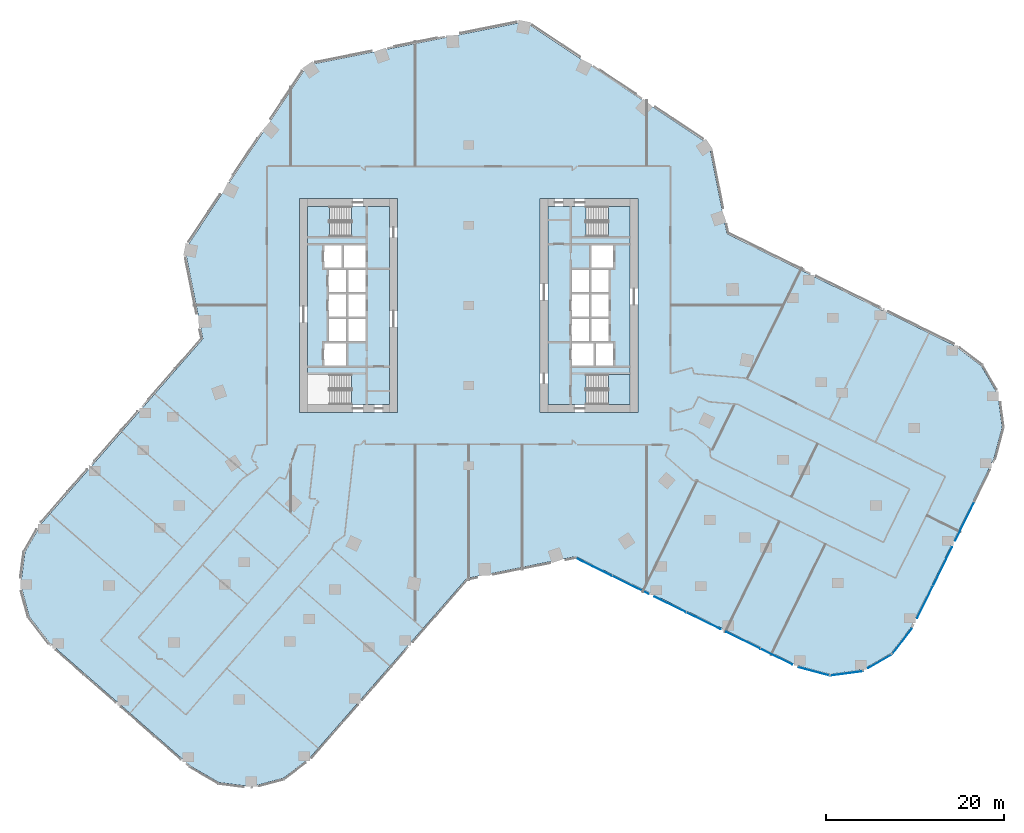
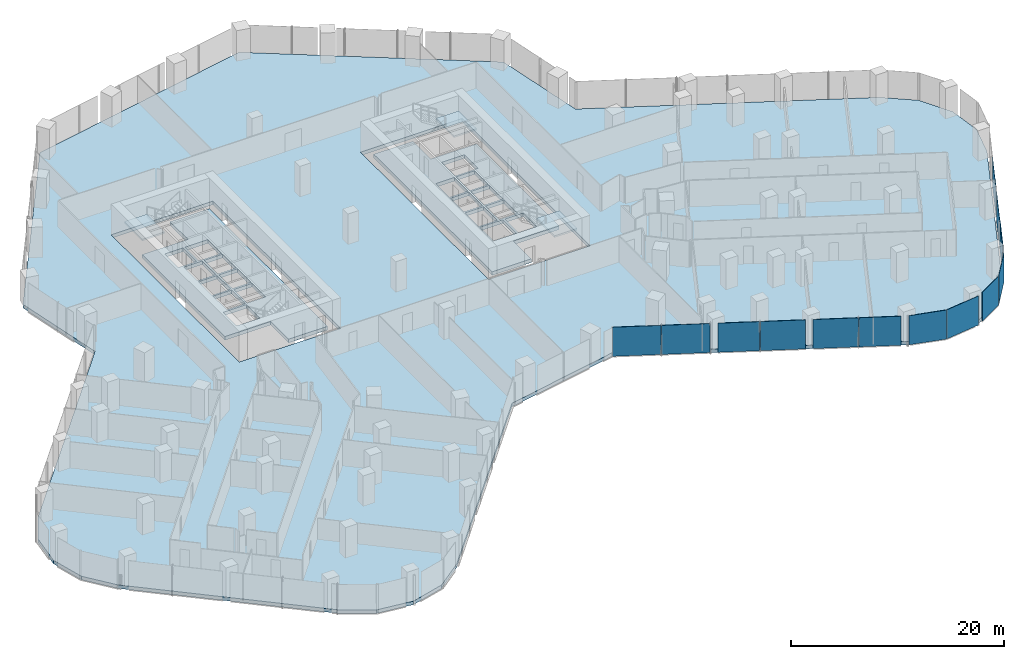
# One storey, part 21 of 38: 13 plates, 6 slabs, 9 elements without a shape of their own.
"""IFC4 building model written with IfcOpenShell, lengths in metres."""

from ifc_helpers import new_model, si_unit, direction, frame, origin, origin_2d, place, context, subcontext, project, spatial, polyline, rectangle, outline, extrude, material, layer, layer_set, type_object, element, aggregate, save


model = new_model("IFC4")

# Units and contexts
model_context = context("Model", 3, precision=1e-05, world=origin(), true_north=direction((0.0, 1.0)))
body_context = subcontext(model_context, "Body", "Model", "MODEL_VIEW")
ifc_project = project(units=[si_unit("LENGTHUNIT", "METRE"), si_unit("AREAUNIT", "SQUARE_METRE"), si_unit("VOLUMEUNIT", "CUBIC_METRE"), si_unit("PLANEANGLEUNIT", "RADIAN"), si_unit("MASSUNIT", "GRAM", prefix="KILO")], contexts=[model_context])

# Site, building, storey
site_placement = place(None, origin())
site = spatial("IfcSite", under=ifc_project, at=site_placement, CompositionType="ELEMENT")
building_placement = place(site_placement, origin())
building = spatial("IfcBuilding", under=site, at=building_placement, Name="Orlundy Tower", CompositionType="ELEMENT")
storey_placement = place(building_placement, frame((0.0, 0.0, 69.300048828125)))
storey = spatial("IfcBuildingStorey", under=building, at=storey_placement, Name="L16", CompositionType="ELEMENT", Elevation=69.300048828125)

# Curtain wall, plates
ifc_material_1 = material(Name="Aluminium bronze anodised", Category="aluminium")
curtain_wall_type = type_object("IfcCurtainWallType", Name="CW1 wall", PredefinedType="NOTDEFINED", material=ifc_material_1)
curtain_wall_1_placement = place(storey_placement, origin())
curtain_wall_1 = element("IfcCurtainWall", 1, at=curtain_wall_1_placement, inside=storey, type_object=curtain_wall_type, Name="CW1 run 00", PredefinedType="NOTDEFINED")
ifc_material_2 = material(Name="Tinted glass", Category="glass")
ifc_layer_1 = layer(ifc_material_2, 0.031982421875)
ifc_layer_set_1 = layer_set([ifc_layer_1], Name="CW1 glass panel 32")
plate_type = type_object("IfcPlateType", Name="CW1 glass panel 32", PredefinedType="CURTAIN_PANEL", material=ifc_layer_set_1)
plate_1_placement = place(storey_placement, frame((34.528076171875, -39.4306640625, -0.280029296875), z_axis=(0.0, 0.0, 1.0), x_axis=(-0.897522339484, 0.440968989984, 0.0)))
plate_1 = element("IfcPlate", 2, at=plate_1_placement, type_object=plate_type, Name="CW1 panel", PredefinedType="CURTAIN_PANEL", context=body_context, shape_type="SweptSolid", body=[
    extrude(rectangle(XDim=3.966552734375, YDim=0.031982421875, at=origin_2d()), origin(), (0.0, 0.0, 1.0), 3.330078125),
])
plate_2_placement = place(storey_placement, frame((30.803955078125, -37.60107421875, -0.280029296875), z_axis=(0.0, 0.0, 1.0), x_axis=(-0.897522339484, 0.440968989984, 0.0)))
plate_2 = element("IfcPlate", 3, at=plate_2_placement, type_object=plate_type, Name="CW1 panel", PredefinedType="CURTAIN_PANEL", context=body_context, shape_type="SweptSolid", body=[
    extrude(rectangle(XDim=4.23193359375, YDim=0.031982421875, at=origin_2d()), origin(), (0.0, 0.0, 1.0), 3.330078125),
])
plate_3_placement = place(storey_placement, frame((26.348388671875, -35.411865234375, -0.280029296875), z_axis=(0.0, 0.0, 1.0), x_axis=(-0.897522339484, 0.440968989984, 0.0)))
plate_3 = element("IfcPlate", 4, at=plate_3_placement, type_object=plate_type, Name="CW1 panel", PredefinedType="CURTAIN_PANEL", context=body_context, shape_type="SweptSolid", body=[
    extrude(rectangle(XDim=4.26220703125, YDim=0.031982421875, at=origin_2d()), origin(), (0.0, 0.0, 1.0), 3.330078125),
])
plate_4_placement = place(storey_placement, frame((22.623779296875, -33.58203125, -0.280029296875), z_axis=(0.0, 0.0, 1.0), x_axis=(-0.897522339484, 0.440968989984, 0.0)))
plate_4 = element("IfcPlate", 5, at=plate_4_placement, type_object=plate_type, Name="CW1 panel", PredefinedType="CURTAIN_PANEL", context=body_context, shape_type="SweptSolid", body=[
    extrude(rectangle(XDim=3.937255859375, YDim=0.031982421875, at=origin_2d()), origin(), (0.0, 0.0, 1.0), 3.330078125),
])
plate_5_placement = place(storey_placement, frame((18.168212890625, -31.392822265625, -0.280029296875), z_axis=(0.0, 0.0, 1.0), x_axis=(-0.897522339484, 0.440968989984, 0.0)))
plate_5 = element("IfcPlate", 6, at=plate_5_placement, type_object=plate_type, Name="CW1 panel", PredefinedType="CURTAIN_PANEL", context=body_context, shape_type="SweptSolid", body=[
    extrude(rectangle(XDim=4.556640625, YDim=0.031982421875, at=origin_2d()), origin(), (0.0, 0.0, 1.0), 3.330078125),
])
plate_6_placement = place(storey_placement, frame((14.03662109375, -29.363037109375, -0.280029296875), z_axis=(0.0, 0.0, 1.0), x_axis=(-0.897522339484, 0.440968989984, 0.0)))
plate_6 = element("IfcPlate", 7, at=plate_6_placement, type_object=plate_type, Name="CW1 panel", PredefinedType="CURTAIN_PANEL", context=body_context, shape_type="SweptSolid", body=[
    extrude(rectangle(XDim=4.550048828125, YDim=0.031982421875, at=origin_2d()), origin(), (0.0, 0.0, 1.0), 3.330078125),
])
aggregate(curtain_wall_1, [plate_1, plate_2, plate_3, plate_4, plate_5, plate_6])

curtain_wall_2_placement = place(storey_placement, origin())
curtain_wall_2 = element("IfcCurtainWall", 8, at=curtain_wall_2_placement, inside=storey, type_object=curtain_wall_type, Name="CW1 run 023", PredefinedType="NOTDEFINED")
plate_7_placement = place(storey_placement, frame((55.680908203125, -24.239990234375, -0.280029296875), z_axis=(0.0, 0.0, 1.0), x_axis=(-0.441012235503, -0.897501090883, 0.0)))
plate_7 = element("IfcPlate", 9, at=plate_7_placement, type_object=plate_type, Name="CW1 panel", PredefinedType="CURTAIN_PANEL", context=body_context, shape_type="SweptSolid", body=[
    extrude(rectangle(XDim=4.852294921875, YDim=0.031982421875, at=origin_2d()), origin(), (0.0, 0.0, 1.0), 3.330078125),
])
plate_8_placement = place(storey_placement, frame((53.193115234375, -29.302978515625, -0.280029296875), z_axis=(0.0, 0.0, 1.0), x_axis=(-0.441012235503, -0.897501090883, 0.0)))
plate_8 = element("IfcPlate", 10, at=plate_8_placement, type_object=plate_type, Name="CW1 panel", PredefinedType="CURTAIN_PANEL", context=body_context, shape_type="SweptSolid", body=[
    extrude(rectangle(XDim=4.764404296875, YDim=0.031982421875, at=origin_2d()), origin(), (0.0, 0.0, 1.0), 3.330078125),
])
plate_9_placement = place(storey_placement, frame((51.227294921875, -33.3037109375, -0.280029296875), z_axis=(0.0, 0.0, 1.0), x_axis=(-0.441012235503, -0.897501090883, 0.0)))
plate_9 = element("IfcPlate", 11, at=plate_9_placement, type_object=plate_type, Name="CW1 panel", PredefinedType="CURTAIN_PANEL", context=body_context, shape_type="SweptSolid", body=[
    extrude(rectangle(XDim=4.05078125, YDim=0.031982421875, at=origin_2d()), origin(), (0.0, 0.0, 1.0), 3.330078125),
])
aggregate(curtain_wall_2, [plate_7, plate_8, plate_9])

# Curtain wall, plate
curtain_wall_3_placement = place(storey_placement, origin())
curtain_wall_3 = element("IfcCurtainWall", 12, at=curtain_wall_3_placement, inside=storey, type_object=curtain_wall_type, Name="CW1 run 024", PredefinedType="NOTDEFINED")
plate_10_placement = place(storey_placement, frame((48.66064453125, -37.691162109375, -0.280029296875), z_axis=(0.0, 0.0, 1.0), x_axis=(-0.607570269729, -0.794265929863, 0.0)))
plate_10 = element("IfcPlate", 13, at=plate_10_placement, type_object=plate_type, Name="CW1 panel", PredefinedType="CURTAIN_PANEL", context=body_context, shape_type="SweptSolid", body=[
    extrude(rectangle(XDim=3.730224609375, YDim=0.031982421875, at=origin_2d()), origin(), (0.0, 0.0, 1.0), 3.330078125),
])
aggregate(curtain_wall_3, [plate_10])

curtain_wall_4_placement = place(storey_placement, origin())
curtain_wall_4 = element("IfcCurtainWall", 14, at=curtain_wall_4_placement, inside=storey, type_object=curtain_wall_type, Name="CW1 run 025", PredefinedType="NOTDEFINED")
plate_11_placement = place(storey_placement, frame((46.19677734375, -39.943603515625, -0.280029296875), z_axis=(0.0, 0.0, 1.0), x_axis=(-0.865272308879, -0.501302135928, 0.0)))
plate_11 = element("IfcPlate", 15, at=plate_11_placement, type_object=plate_type, Name="CW1 panel", PredefinedType="CURTAIN_PANEL", context=body_context, shape_type="SweptSolid", body=[
    extrude(rectangle(XDim=3.075927734375, YDim=0.031982421875, at=origin_2d()), origin(), (0.0, 0.0, 1.0), 3.330078125),
])
aggregate(curtain_wall_4, [plate_11])

curtain_wall_5_placement = place(storey_placement, origin())
curtain_wall_5 = element("IfcCurtainWall", 16, at=curtain_wall_5_placement, inside=storey, type_object=curtain_wall_type, Name="CW1 run 026", PredefinedType="NOTDEFINED")
plate_12_placement = place(storey_placement, frame((42.39404296875, -41.3125, -0.280029296875), z_axis=(0.0, 0.0, 1.0), x_axis=(-0.991227900682, -0.132163720098, 0.0)))
plate_12 = element("IfcPlate", 17, at=plate_12_placement, type_object=plate_type, Name="CW1 panel", PredefinedType="CURTAIN_PANEL", context=body_context, shape_type="SweptSolid", body=[
    extrude(rectangle(XDim=3.772705078125, YDim=0.031982421875, at=origin_2d()), origin(), (0.0, 0.0, 1.0), 3.330078125),
])
aggregate(curtain_wall_5, [plate_12])

curtain_wall_6_placement = place(storey_placement, origin())
curtain_wall_6 = element("IfcCurtainWall", 18, at=curtain_wall_6_placement, inside=storey, type_object=curtain_wall_type, Name="CW1 run 027", PredefinedType="NOTDEFINED")
plate_13_placement = place(storey_placement, frame((38.763916015625, -41.092529296875, -0.280029296875), z_axis=(0.0, 0.0, 1.0), x_axis=(-0.966230461093, 0.25767944438, 0.0)))
plate_13 = element("IfcPlate", 19, at=plate_13_placement, type_object=plate_type, Name="CW1 panel", PredefinedType="CURTAIN_PANEL", context=body_context, shape_type="SweptSolid", body=[
    extrude(rectangle(XDim=3.6435546875, YDim=0.031982421875, at=origin_2d()), origin(), (0.0, 0.0, 1.0), 3.330078125),
])
aggregate(curtain_wall_6, [plate_13])

# Slabs
ifc_material_3 = material(Name="Concrete C50/60", Category="concrete")
ifc_layer_2 = layer(ifc_material_3, 0.409912109375)
ifc_layer_set_2 = layer_set([ifc_layer_2], Name="Core Floor Slab 410")
slab_type_1 = type_object("IfcSlabType", Name="Core Floor Slab 410", PredefinedType="FLOOR", material=ifc_layer_set_2)
slab_1_placement = place(storey_placement, frame((0.0, 0.0, -0.41015625)))
element("IfcSlab", 20, at=slab_1_placement, inside=storey, type_object=slab_type_1, Name="Core floor W14", PredefinedType="FLOOR", context=body_context, shape_type="SweptSolid", body=[
    extrude(outline(polyline([(-13.14501953125, 7.75), (-13.14501953125, 11.10009765625), (-8.89990234375, 11.10009765625), (-8.89990234375, -11.10009765625), (-13.14501953125, -11.10009765625), (-13.14501953125, -7.75), (-18.10009765625, -7.75), (-18.10009765625, 7.75), (-13.14501953125, 7.75)]), holes=[polyline([(-16.239990234375, -6.77490234375), (-13.739990234375, -6.77490234375), (-13.739990234375, -4.22509765625), (-16.239990234375, -4.22509765625), (-16.239990234375, -6.77490234375)]), polyline([(-13.5400390625, -1.47509765625), (-13.5400390625, -4.02490234375), (-11.5400390625, -4.02490234375), (-11.5400390625, -1.47509765625), (-13.5400390625, -1.47509765625)]), polyline([(-13.739990234375, -1.47509765625), (-15.739990234375, -1.47509765625), (-15.739990234375, -4.02490234375), (-13.739990234375, -4.02490234375), (-13.739990234375, -1.47509765625)]), polyline([(-11.5400390625, -1.27490234375), (-11.5400390625, 1.27490234375), (-13.5400390625, 1.27490234375), (-13.5400390625, -1.27490234375), (-11.5400390625, -1.27490234375)]), polyline([(-15.739990234375, -1.27490234375), (-13.739990234375, -1.27490234375), (-13.739990234375, 1.27490234375), (-15.739990234375, 1.27490234375), (-15.739990234375, -1.27490234375)]), polyline([(-13.5400390625, 4.02490234375), (-13.5400390625, 1.47509765625), (-11.5400390625, 1.47509765625), (-11.5400390625, 4.02490234375), (-13.5400390625, 4.02490234375)]), polyline([(-13.739990234375, 4.02490234375), (-15.739990234375, 4.02490234375), (-15.739990234375, 1.47509765625), (-13.739990234375, 1.47509765625), (-13.739990234375, 4.02490234375)]), polyline([(-11.5400390625, 4.22509765625), (-11.5400390625, 6.77490234375), (-14.0400390625, 6.77490234375), (-14.0400390625, 4.22509765625), (-11.5400390625, 4.22509765625)]), polyline([(-16.239990234375, 4.22509765625), (-14.239990234375, 4.22509765625), (-14.239990234375, 6.77490234375), (-16.239990234375, 6.77490234375), (-16.239990234375, 4.22509765625)])]), origin(), (0.0, 0.0, 1.0), 0.41015625),
])
slab_2_placement = place(storey_placement, frame((0.0, 0.0, -0.41015625)))
element("IfcSlab", 21, at=slab_2_placement, inside=storey, type_object=slab_type_1, Name="Core floor E14", PredefinedType="FLOOR", context=body_context, shape_type="SweptSolid", body=[
    extrude(outline(polyline([(13.14501953125, -7.75), (13.14501953125, -11.10009765625), (8.89990234375, -11.10009765625), (8.89990234375, 11.10009765625), (13.14501953125, 11.10009765625), (13.14501953125, 7.75), (18.10009765625, 7.75), (18.10009765625, -7.75), (13.14501953125, -7.75)]), holes=[polyline([(16.239990234375, 6.77490234375), (13.739990234375, 6.77490234375), (13.739990234375, 4.22509765625), (16.239990234375, 4.22509765625), (16.239990234375, 6.77490234375)]), polyline([(13.5400390625, 1.47509765625), (13.5400390625, 4.02490234375), (11.5400390625, 4.02490234375), (11.5400390625, 1.47509765625), (13.5400390625, 1.47509765625)]), polyline([(13.739990234375, 1.47509765625), (15.739990234375, 1.47509765625), (15.739990234375, 4.02490234375), (13.739990234375, 4.02490234375), (13.739990234375, 1.47509765625)]), polyline([(11.5400390625, 1.27490234375), (11.5400390625, -1.27490234375), (13.5400390625, -1.27490234375), (13.5400390625, 1.27490234375), (11.5400390625, 1.27490234375)]), polyline([(15.739990234375, 1.27490234375), (13.739990234375, 1.27490234375), (13.739990234375, -1.27490234375), (15.739990234375, -1.27490234375), (15.739990234375, 1.27490234375)]), polyline([(13.5400390625, -4.02490234375), (13.5400390625, -1.47509765625), (11.5400390625, -1.47509765625), (11.5400390625, -4.02490234375), (13.5400390625, -4.02490234375)]), polyline([(13.739990234375, -4.02490234375), (15.739990234375, -4.02490234375), (15.739990234375, -1.47509765625), (13.739990234375, -1.47509765625), (13.739990234375, -4.02490234375)]), polyline([(11.5400390625, -4.22509765625), (11.5400390625, -6.77490234375), (14.0400390625, -6.77490234375), (14.0400390625, -4.22509765625), (11.5400390625, -4.22509765625)]), polyline([(16.239990234375, -4.22509765625), (14.239990234375, -4.22509765625), (14.239990234375, -6.77490234375), (16.239990234375, -6.77490234375), (16.239990234375, -4.22509765625)])]), origin(), (0.0, 0.0, 1.0), 0.41015625),
])

# Stair, slab
ifc_material_4 = material(Name="Concrete C50/60", Category="concrete")
stair_type = type_object("IfcStairType", Name="Exit Stair 20 risers", PredefinedType="HALF_TURN_STAIR", material=ifc_material_4)
stair_1_placement = place(storey_placement, origin())
stair_1 = element("IfcStair", 22, at=stair_1_placement, inside=storey, type_object=stair_type, Name="L16 Exit Stair ST-W1", PredefinedType="HALF_TURN_STAIR")
ifc_material_5 = material(Name="Concrete C50/60", Category="concrete")
ifc_layer_3 = layer(ifc_material_5, 0.199951171875)
ifc_layer_set_3 = layer_set([ifc_layer_3], Name="Exit Stair Landing")
slab_type_2 = type_object("IfcSlabType", Name="Exit Stair Landing", PredefinedType="LANDING", material=ifc_layer_set_3)
slab_3_placement = place(storey_placement, frame((0.0, 0.0, 1.550048828125)))
slab_3 = element("IfcSlab", 23, at=slab_3_placement, type_object=slab_type_2, Name="ST-W1 landing 1", PredefinedType="LANDING", context=body_context, shape_type="SweptSolid", body=[
    extrude(outline(polyline([(-15.659912109375, 11.10009765625), (-18.10009765625, 11.10009765625), (-18.10009765625, 7.75), (-15.659912109375, 7.75), (-15.659912109375, 11.10009765625)])), origin(), (0.0, 0.0, 1.0), 0.199951171875),
])
aggregate(stair_1, [slab_3])

stair_2_placement = place(storey_placement, origin())
stair_2 = element("IfcStair", 24, at=stair_2_placement, inside=storey, type_object=stair_type, Name="L16 Exit Stair ST-E1", PredefinedType="HALF_TURN_STAIR")
slab_4_placement = place(storey_placement, frame((0.0, 0.0, 1.550048828125)))
slab_4 = element("IfcSlab", 25, at=slab_4_placement, type_object=slab_type_2, Name="ST-E1 landing 1", PredefinedType="LANDING", context=body_context, shape_type="SweptSolid", body=[
    extrude(outline(polyline([(15.659912109375, -11.10009765625), (18.10009765625, -11.10009765625), (18.10009765625, -7.75), (15.659912109375, -7.75), (15.659912109375, -11.10009765625)])), origin(), (0.0, 0.0, 1.0), 0.199951171875),
])
aggregate(stair_2, [slab_4])

stair_3_placement = place(storey_placement, origin())
stair_3 = element("IfcStair", 26, at=stair_3_placement, inside=storey, type_object=stair_type, Name="L16 Exit Stair ST-E2", PredefinedType="HALF_TURN_STAIR")
slab_5_placement = place(storey_placement, frame((0.0, 0.0, 1.550048828125)))
slab_5 = element("IfcSlab", 27, at=slab_5_placement, type_object=slab_type_2, Name="ST-E2 landing 1", PredefinedType="LANDING", context=body_context, shape_type="SweptSolid", body=[
    extrude(outline(polyline([(15.659912109375, 7.75), (18.10009765625, 7.75), (18.10009765625, 11.10009765625), (15.659912109375, 11.10009765625), (15.659912109375, 7.75)])), origin(), (0.0, 0.0, 1.0), 0.199951171875),
])
aggregate(stair_3, [slab_5])

# Slab
ifc_material_6 = material(Name="Concrete C45/55", Category="concrete")
ifc_layer_4 = layer(ifc_material_6, 0.39990234375)
ifc_layer_set_4 = layer_set([ifc_layer_4], Name="FLOOR SLAB THICK 400 C45/55")
slab_type_3 = type_object("IfcSlabType", Name="FLOOR SLAB THICK 400 C45/55", PredefinedType="FLOOR", material=ifc_layer_set_4)
slab_6_placement = place(storey_placement, frame((0.0, 0.0, -0.400146484375)))
element("IfcSlab", 28, at=slab_6_placement, inside=storey, type_object=slab_type_3, Name="Floor slab L16", PredefinedType="FLOOR", context=body_context, shape_type="SweptSolid", body=[
    extrude(outline(polyline([(12.01708984375, -28.18798828125), (-0.22607421875, -30.64208984375), (-17.85693359375, -50.804931640625), (-20.7939453125, -53.06591796875), (-24.373046875, -54.030029296875), (-28.049072265625, -53.552001953125), (-31.261962890625, -51.702880859375), (-47.070068359375, -37.8798828125), (-49.3310546875, -34.94189453125), (-50.2958984375, -31.363037109375), (-49.81689453125, -27.68798828125), (-47.968994140625, -24.47509765625), (-29.844970703125, -3.7490234375), (-31.85693359375, 6.2890625), (-18.080078125, 26.972900390625), (6.2890625, 31.85693359375), (26.972900390625, 18.080078125), (28.985107421875, 8.0419921875), (54.593017578125, -4.5400390625), (57.537109375, -6.7919921875), (59.39501953125, -10.0), (59.884033203125, -13.674072265625), (58.929931640625, -17.256103515625), (49.6689453125, -36.10302734375), (47.4169921875, -39.047119140625), (44.2099609375, -40.905029296875), (40.534912109375, -41.39501953125), (36.9541015625, -40.43994140625), (12.01708984375, -28.18798828125)]), holes=[polyline([(-8.0, -12.0), (-8.0, 12.0), (-19.0, 12.0), (-19.0, -12.0), (-8.0, -12.0)]), polyline([(19.0, -12.0), (19.0, 12.0), (8.0, 12.0), (8.0, -12.0), (19.0, -12.0)])]), origin(), (0.0, 0.0, 1.0), 0.400146484375),
])

save(model, "model.ifc")
